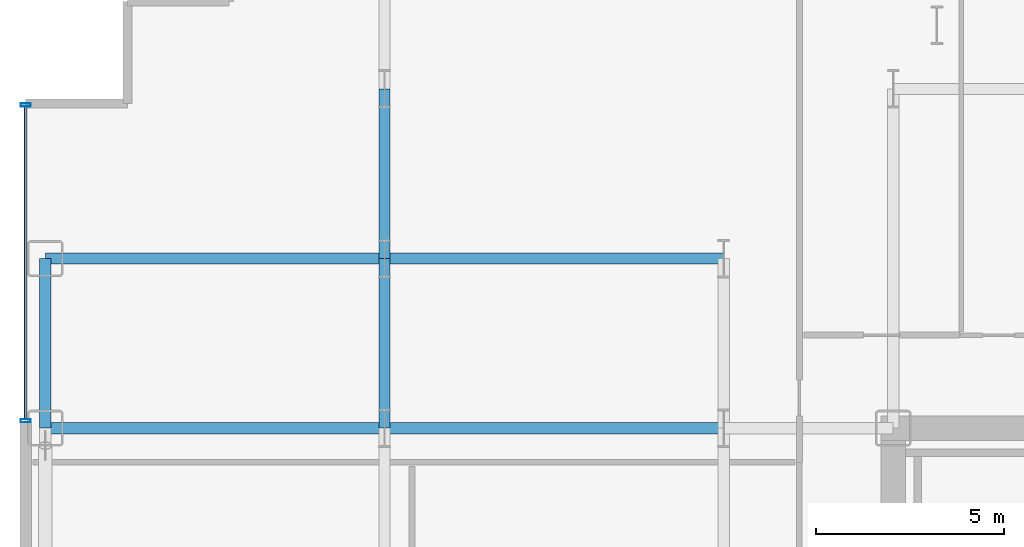
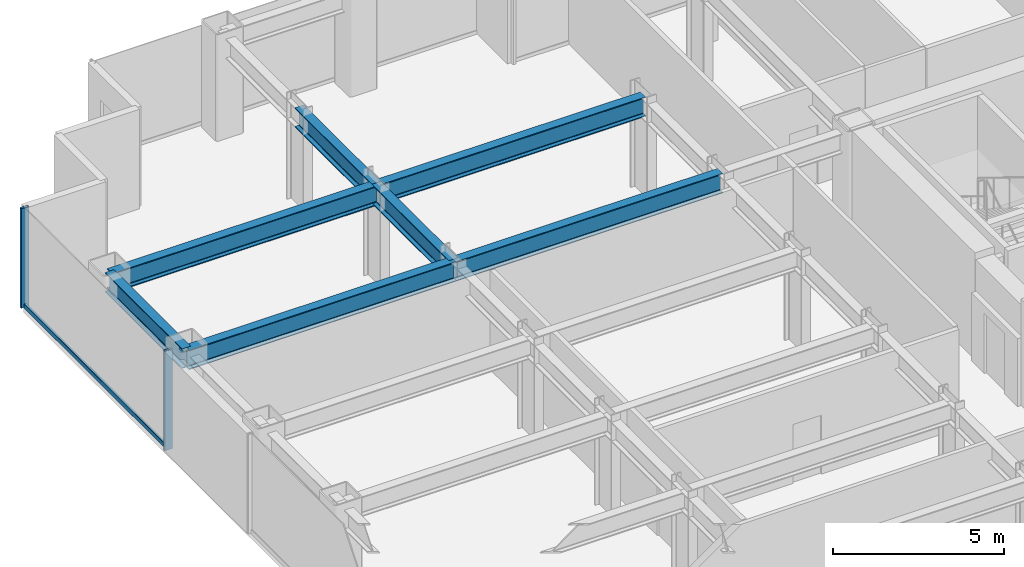
# One storey, part 11 of 29: 7 beams, 3 members, 1 element without a shape of its own.
"""IFC4 building model written with IfcOpenShell, lengths in metres."""

import ifcopenshell
import ifcopenshell.guid

model = None  # the IFC model being written
_history = None  # IfcOwnerHistory: only IFC2X3 demands one
_inside = {}  # id of a spatial element -> (the spatial element, [elements in it])
_under = {}  # id of a project, library or spatial element -> (it, [spatial elements below it])
_declared = {}  # id of a project -> (the project, [libraries it declares])
_typed = {}  # id of a type object -> (the type object, [elements of that type])
_made_of = {}  # id of a material, layer set ... -> (it, [elements and type objects made of it])


def new_model(schema):
    """Start an empty IFC model of exactly this schema.

    Asked for "IFC4X3", IfcOpenShell would pick the latest addendum, in which some entities
    have other attributes; the version numbers below select the first issue.
    IFC2X3 requires an IfcOwnerHistory on every rooted entity: one is made here for all.
    """
    global model, _history
    if schema == "IFC4X3":
        model = ifcopenshell.file(schema_version=(4, 3, 0, 0))
    else:
        model = ifcopenshell.file(schema=schema)
    _inside.clear()
    _under.clear()
    _declared.clear()
    _typed.clear()
    _made_of.clear()
    _history = None
    if model.schema == "IFC2X3":
        org = make("IfcOrganization", Name="unknown")
        user = make(
            "IfcPersonAndOrganization",
            ThePerson=make("IfcPerson", FamilyName="unknown"),
            TheOrganization=org,
        )
        app = make(
            "IfcApplication",
            ApplicationDeveloper=org,
            Version="unknown",
            ApplicationFullName="unknown",
            ApplicationIdentifier="unknown",
        )
        _history = make(
            "IfcOwnerHistory",
            OwningUser=user,
            OwningApplication=app,
            ChangeAction="ADDED",
            CreationDate=0,
        )
    return model


def make(cls, **values):
    """One entity of the class cls with the attributes given. An attribute that is None is left unset."""
    return model.create_entity(
        cls, **{name: value for name, value in values.items() if value is not None}
    )


def rooted(cls, **values):
    """An entity with a GlobalId (a new one), such as an element, a storey or a relation."""
    return make(cls, GlobalId=ifcopenshell.guid.new(), OwnerHistory=_history, **values)


def si_unit(unit_type, name, prefix=None):
    """IfcSIUnit, for example si_unit("LENGTHUNIT", "METRE", prefix="MILLI")."""
    return make("IfcSIUnit", UnitType=unit_type, Prefix=prefix, Name=name)


def assignment(units):
    """IfcUnitAssignment: the units of a project."""
    return None if units is None else make("IfcUnitAssignment", Units=units)


def point(xyz):
    """IfcCartesianPoint."""
    return None if xyz is None else make("IfcCartesianPoint", Coordinates=xyz)


def direction(xyz):
    """IfcDirection."""
    return None if xyz is None else make("IfcDirection", DirectionRatios=xyz)


def frame(location, z_axis=None, x_axis=None):
    """IfcAxis2Placement3D, a coordinate frame: its origin and axes. An axis left out is left unset."""
    return make(
        "IfcAxis2Placement3D",
        Location=point(location),
        Axis=direction(z_axis),
        RefDirection=direction(x_axis),
    )


def frame_2d(location, x_axis=None):
    """IfcAxis2Placement2D, a coordinate frame in the plane: its origin and x axis."""
    return make(
        "IfcAxis2Placement2D", Location=point(location), RefDirection=direction(x_axis)
    )


def origin():
    """The frame at (0, 0, 0) with its axes left unset."""
    return frame((0.0, 0.0, 0.0))


def origin_2d():
    """The frame at (0, 0) in the plane with its x axis left unset."""
    return frame_2d((0.0, 0.0))


def place(relative_to, where):
    """IfcLocalPlacement: puts the frame where relative to a parent placement (None: the world)."""
    return make(
        "IfcLocalPlacement", PlacementRelTo=relative_to, RelativePlacement=where
    )


def context(
    kind, dimensions, precision=None, world=None, true_north=None, identifier=None
):
    """IfcGeometricRepresentationContext, for example the 3D "Model" context."""
    return make(
        "IfcGeometricRepresentationContext",
        ContextIdentifier=identifier,
        ContextType=kind,
        CoordinateSpaceDimension=dimensions,
        Precision=precision,
        WorldCoordinateSystem=world,
        TrueNorth=true_north,
    )


def subcontext(parent, identifier, kind, view, scale=None):
    """IfcGeometricRepresentationSubContext, for example "Body" below "Model"."""
    return make(
        "IfcGeometricRepresentationSubContext",
        ContextIdentifier=identifier,
        ContextType=kind,
        ParentContext=parent,
        TargetScale=scale,
        TargetView=view,
    )


def project(units=None, contexts=None):
    """IfcProject with its units and contexts."""
    return rooted(
        "IfcProject",
        Name="project",
        RepresentationContexts=contexts,
        UnitsInContext=assignment(units),
    )


def spatial(cls, under=None, at=None, **own):
    """A site, building, storey or space (cls), placed at a placement, below another one or the project."""
    s = rooted(cls, ObjectPlacement=at, **own)
    if under is not None:
        _under.setdefault(under.id(), (under, []))[1].append(s)
    return s


def profile(cls, at=None, kind="AREA", **sizes):
    """A parametric profile (cls). Its sizes go by their IFC names, for example OverallWidth=200.0."""
    return make(cls, ProfileType=kind, Position=at, **sizes)


def hollow_rectangle(**sizes):
    """IfcRectangleHollowProfileDef."""
    return profile("IfcRectangleHollowProfileDef", **sizes)


def i_section(**sizes):
    """IfcIShapeProfileDef."""
    return profile("IfcIShapeProfileDef", **sizes)


def extrude(swept, where, along, depth):
    """IfcExtrudedAreaSolid: the profile swept, set in the frame where, extruded along a direction by depth."""
    return make(
        "IfcExtrudedAreaSolid",
        SweptArea=swept,
        Position=where,
        ExtrudedDirection=direction(along),
        Depth=depth,
    )


def shape(context_of_items, identifier, shape_type, items):
    """IfcShapeRepresentation: the items that make up one representation, for example the "Body"."""
    return make(
        "IfcShapeRepresentation",
        ContextOfItems=context_of_items,
        RepresentationIdentifier=identifier,
        RepresentationType=shape_type,
        Items=items,
    )


def source(mapping_origin, context_of_items, identifier, shape_type, items):
    """IfcRepresentationMap: a shape defined once, which mapped items show again and again."""
    return make(
        "IfcRepresentationMap",
        MappingOrigin=mapping_origin,
        MappedRepresentation=shape(context_of_items, identifier, shape_type, items),
    )


def transform(
    local_origin,
    x_axis=None,
    y_axis=None,
    z_axis=None,
    scale=None,
    scale2=None,
    scale3=None,
    uniform=True,
):
    """IfcCartesianTransformationOperator3D, or its non-uniform kind. x_axis, y_axis, z_axis: its Axis1, 2, 3."""
    if uniform:
        return make(
            "IfcCartesianTransformationOperator3D",
            Axis1=direction(x_axis),
            Axis2=direction(y_axis),
            LocalOrigin=point(local_origin),
            Scale=scale,
            Axis3=direction(z_axis),
        )
    return make(
        "IfcCartesianTransformationOperator3DnonUniform",
        Axis1=direction(x_axis),
        Axis2=direction(y_axis),
        LocalOrigin=point(local_origin),
        Scale=scale,
        Axis3=direction(z_axis),
        Scale2=scale2,
        Scale3=scale3,
    )


def mapped(mapping_source, mapping_target):
    """IfcMappedItem: shows the shape of a source again, moved by a transform."""
    return make(
        "IfcMappedItem", MappingSource=mapping_source, MappingTarget=mapping_target
    )


def material(Name=None, Category=None):
    """IfcMaterial."""
    return make("IfcMaterial", Name=Name, Category=Category)


def layer(
    of_material, thickness, ventilated=None, Name=None, Category=None, Priority=None
):
    """IfcMaterialLayer: one layer of a wall or slab, of a material (None: an air gap)."""
    return make(
        "IfcMaterialLayer",
        Material=of_material,
        LayerThickness=thickness,
        IsVentilated=ventilated,
        Name=Name,
        Category=Category,
        Priority=Priority,
    )


def layer_set(layers, Name=None):
    """IfcMaterialLayerSet."""
    return make("IfcMaterialLayerSet", MaterialLayers=layers, LayerSetName=Name)


def material_profile(
    of_material, cross_section, Name=None, Category=None, Priority=None
):
    """IfcMaterialProfile: a cross section and its material."""
    return make(
        "IfcMaterialProfile",
        Name=Name,
        Material=of_material,
        Profile=cross_section,
        Priority=Priority,
        Category=Category,
    )


def profile_set(profiles, Name=None, composite=None):
    """IfcMaterialProfileSet."""
    return make(
        "IfcMaterialProfileSet",
        Name=Name,
        MaterialProfiles=profiles,
        CompositeProfile=composite,
    )


def made_of(thing, what):
    """Note that an element or type object is made of a material, layer set ...; save() writes the relation."""
    if what is not None:
        _made_of.setdefault(what.id(), (what, []))[1].append(thing)
    return thing


def type_object(cls, material=None, **own):
    """A type object (cls), such as IfcWallType, which elements share."""
    return made_of(rooted(cls, **own), material)


def element(
    cls,
    number,
    at=None,
    inside=None,
    cuts=None,
    type_object=None,
    material=None,
    context=None,
    identifier="Body",
    shape_type=None,
    held_by="IfcProductDefinitionShape",
    body=None,
    shapes=None,
    **own,
):
    """One element of the class cls, such as IfcWall. Its Tag is "e" and its number.

    at: its placement. inside: the storey or other place that contains it. cuts: it is an
    opening in that element (IfcRelVoidsElement). A single representation is given by context,
    identifier, shape_type and body (its items); several are given by shapes. held_by: the class
    of the entity that holds the representations. save() writes the other relations.
    """
    e = rooted(cls, Tag="e%d" % number, ObjectPlacement=at, **own)
    if body is not None:
        shapes = [shape(context, identifier, shape_type, body)]
    if shapes is not None:
        e.Representation = make(held_by, Representations=shapes)
    if inside is not None:
        _inside.setdefault(inside.id(), (inside, []))[1].append(e)
    if cuts is not None:
        rooted(
            "IfcRelVoidsElement", RelatingBuildingElement=cuts, RelatedOpeningElement=e
        )
    if type_object is not None:
        _typed.setdefault(type_object.id(), (type_object, []))[1].append(e)
    return made_of(e, material)


def aggregate(whole, parts):
    """IfcRelAggregates: a whole, such as a stair, and the parts it consists of."""
    return rooted("IfcRelAggregates", RelatingObject=whole, RelatedObjects=parts)


def save(model, path):
    """Write the relations noted so far, then the file.

    IfcRelAggregates (storeys below a building ...), IfcRelContainedInSpatialStructure (elements
    in a storey), IfcRelDefinesByType, IfcRelAssociatesMaterial and IfcRelDeclares: one each for
    every whole, place, type object, material and project.
    """
    for whole, parts in _under.values():
        aggregate(whole, parts)
    for where, things in _inside.values():
        rooted(
            "IfcRelContainedInSpatialStructure",
            RelatedElements=things,
            RelatingStructure=where,
        )
    for kind, things in _typed.values():
        rooted("IfcRelDefinesByType", RelatedObjects=things, RelatingType=kind)
    for what, things in _made_of.values():
        rooted("IfcRelAssociatesMaterial", RelatedObjects=things, RelatingMaterial=what)
    for by, libraries in _declared.values():
        rooted("IfcRelDeclares", RelatingContext=by, RelatedDefinitions=libraries)
    model.write(path)


model = new_model("IFC4")

# Units and contexts
model_context = context("Model", 3, precision=1e-05, world=origin(), true_north=direction((0.0, 1.0)))
body_context = subcontext(model_context, "Body", "Model", "MODEL_VIEW")
ifc_project = project(units=[si_unit("LENGTHUNIT", "METRE"), si_unit("AREAUNIT", "SQUARE_METRE"), si_unit("VOLUMEUNIT", "CUBIC_METRE"), si_unit("PLANEANGLEUNIT", "RADIAN"), si_unit("MASSUNIT", "GRAM", prefix="KILO")], contexts=[model_context])

# Site, building, storey
site_placement = place(None, origin())
site = spatial("IfcSite", under=ifc_project, at=site_placement, CompositionType="ELEMENT")
building_placement = place(site_placement, origin())
building = spatial("IfcBuilding", under=site, at=building_placement, Name="Nefas-Gora Pilgrimage Tower", CompositionType="ELEMENT")
storey_placement = place(building_placement, frame((0.0, 0.0, 78.60009765625)))
storey = spatial("IfcBuildingStorey", under=building, at=storey_placement, Name="L18", CompositionType="ELEMENT", Elevation=78.60009765625)

# Beams
ifc_material_1 = material(Name="Steel S355", Category="steel")
ifc_material_profile_1 = material_profile(ifc_material_1, i_section(OverallWidth=0.300048828125, OverallDepth=0.699951171875, WebThickness=0.01708984375, FlangeThickness=0.031982421875, FilletRadius=0.027099609375, at=origin_2d()), Name="HEB 700")
ifc_profile_set_1 = profile_set([ifc_material_profile_1], Name="Steel S355")
beam_type_1 = type_object("IfcBeamType", Name="BM-SPN-HEB600", PredefinedType="SPANDREL", material=ifc_profile_set_1)
shared_shape_1 = source(origin(), body_context, "Body", "SweptSolid", [
    extrude(i_section(OverallWidth=0.300048828125, OverallDepth=0.699951171875, WebThickness=0.01708984375, FlangeThickness=0.031982421875, FilletRadius=0.027099609375, at=origin_2d()), origin(), (0.0, 0.0, 1.0), 4.5),
])
beam_placement = place(storey_placement, frame((-33.75, 9.0, 3.199951171875), z_axis=(0.0, 1.0, 0.0), x_axis=(-1.0, 0.0, 0.0)))
element("IfcBeam", 1, at=beam_placement, inside=storey, type_object=beam_type_1, Name="L18 SP-01 beam", PredefinedType="SPANDREL", context=body_context, shape_type="MappedRepresentation", body=[
    mapped(shared_shape_1, transform((0.0, 0.0, 0.0), x_axis=(1.0, 0.0, 0.0), y_axis=(0.0, 1.0, 0.0), z_axis=(0.0, 0.0, 1.0), scale=1.0)),
])
ifc_material_profile_2 = material_profile(ifc_material_1, i_section(OverallWidth=0.300048828125, OverallDepth=0.699951171875, WebThickness=0.01708984375, FlangeThickness=0.031982421875, FilletRadius=0.027099609375, at=origin_2d()), Name="HEB 700")
ifc_profile_set_2 = profile_set([ifc_material_profile_2], Name="Steel S355")
beam_type_2 = type_object("IfcBeamType", Name="BM-GIR-HEB700", PredefinedType="BEAM", material=ifc_profile_set_2)
shared_shape_2 = source(origin(), body_context, "Body", "SweptSolid", [
    extrude(i_section(OverallWidth=0.300048828125, OverallDepth=0.699951171875, WebThickness=0.01708984375, FlangeThickness=0.031982421875, FilletRadius=0.027099609375, at=origin_2d()), origin(), (0.0, 0.0, 1.0), 9.0),
])
for number, where, z_axis, x_axis, name in (
    (2, (-33.75, 9.0, 3.199951171875), (1.0, 0.0, 0.0), (0.0, 1.0, 0.0), "L18 G-02 beam"),
    (3, (-33.75, 13.5, 3.199951171875), (1.0, 0.0, 0.0), (0.0, 1.0, 0.0), "L18 G-02 beam"),
    (4, (-24.75, 9.0, 3.199951171875), (1.0, 0.0, 0.0), (0.0, 1.0, 0.0), "L18 G-02 beam"),
    (5, (-24.75, 13.5, 3.199951171875), (1.0, 0.0, 0.0), (0.0, 1.0, 0.0), "L18 G-02 beam"),
):
    element("IfcBeam", number, at=place(storey_placement, frame(where, z_axis=z_axis, x_axis=x_axis)), inside=storey, type_object=beam_type_2, Name=name, PredefinedType="BEAM", context=body_context, shape_type="MappedRepresentation", body=[
        mapped(shared_shape_2, transform((0.0, 0.0, 0.0), x_axis=(1.0, 0.0, 0.0), y_axis=(0.0, 1.0, 0.0), z_axis=(0.0, 0.0, 1.0), scale=1.0)),
    ])
shared_shape_3 = source(origin(), body_context, "Body", "SweptSolid", [
    extrude(i_section(OverallWidth=0.300048828125, OverallDepth=0.699951171875, WebThickness=0.01708984375, FlangeThickness=0.031982421875, FilletRadius=0.027099609375, at=origin_2d()), origin(), (0.0, 0.0, 1.0), 4.5),
])
for number, where, z_axis, x_axis, name in (
    (6, (-24.75, 9.0, 3.199951171875), (0.0, 1.0, 0.0), (-1.0, 0.0, 0.0), "L18 G-02 beam"),
    (7, (-24.75, 13.5, 3.199951171875), (0.0, 1.0, 0.0), (-1.0, 0.0, 0.0), "L18 G-02 beam"),
):
    element("IfcBeam", number, at=place(storey_placement, frame(where, z_axis=z_axis, x_axis=x_axis)), inside=storey, type_object=beam_type_2, Name=name, PredefinedType="BEAM", context=body_context, shape_type="MappedRepresentation", body=[
        mapped(shared_shape_3, transform((0.0, 0.0, 0.0), x_axis=(1.0, 0.0, 0.0), y_axis=(0.0, 1.0, 0.0), z_axis=(0.0, 0.0, 1.0), scale=1.0)),
    ])

# Curtain wall, members
ifc_material_2 = material(Name="Dark ceramic-fritted solar-control aluminium-glass curtain wall", Category="aluminium")
ifc_layer = layer(ifc_material_2, 0.219970703125)
ifc_layer_set = layer_set([ifc_layer], Name="Dark ceramic-fritted solar-control aluminium-glass curtain wall")
curtain_wall_type = type_object("IfcCurtainWallType", Name="CW-SYS-2", PredefinedType="NOTDEFINED", material=ifc_layer_set)
curtain_wall_placement = place(storey_placement, origin())
curtain_wall = element("IfcCurtainWall", 8, at=curtain_wall_placement, inside=storey, type_object=curtain_wall_type, Name="L18 Unitised Curtain Wall CW2", PredefinedType="NOTDEFINED")
ifc_material_3 = material(Name="Anodised architectural aluminium", Category="aluminium")
ifc_material_profile_3 = material_profile(ifc_material_3, hollow_rectangle(XDim=0.080078125, YDim=0.159912109375, WallThickness=0.00439453125, InnerFilletRadius=0.00439453125, OuterFilletRadius=0.009033203125, at=origin_2d()), Name="ALU TRANSOM 80x160")
ifc_profile_set_3 = profile_set([ifc_material_profile_3], Name="Anodised architectural aluminium")
member_type_1 = type_object("IfcMemberType", Name="CWM-TRN-2", PredefinedType="USERDEFINED", material=ifc_profile_set_3)
shared_shape_4 = source(origin(), body_context, "Body", "SweptSolid", [
    extrude(hollow_rectangle(XDim=0.080078125, YDim=0.159912109375, WallThickness=0.00439453125, InnerFilletRadius=0.00439453125, OuterFilletRadius=0.009033203125, at=origin_2d()), origin(), (0.0, 0.0, 1.0), 8.2900390625),
])
member_1_placement = place(storey_placement, frame((-34.27001953125, 17.530029296875, 0.0498046875), z_axis=(0.0, -1.0, 0.0), x_axis=(1.0, 0.0, 0.0)))
member_1 = element("IfcMember", 9, at=member_1_placement, type_object=member_type_1, Name="CW2 Spandrel Transom", ObjectType="TRANSOM", PredefinedType="USERDEFINED", context=body_context, shape_type="MappedRepresentation", body=[
    mapped(shared_shape_4, transform((0.0, 0.0, 0.0), x_axis=(1.0, 0.0, 0.0), y_axis=(0.0, 1.0, 0.0), z_axis=(0.0, 0.0, 1.0), scale=1.0)),
])
ifc_material_profile_4 = material_profile(ifc_material_3, hollow_rectangle(XDim=0.090087890625, YDim=0.260009765625, WallThickness=0.006103515625, InnerFilletRadius=0.006103515625, OuterFilletRadius=0.011962890625, at=origin_2d()), Name="ALU MULLION 90x260")
ifc_profile_set_4 = profile_set([ifc_material_profile_4], Name="Anodised architectural aluminium")
member_type_2 = type_object("IfcMemberType", Name="CWM-MUL-2", PredefinedType="MULLION", material=ifc_profile_set_4)
shared_shape_5 = source(origin(), body_context, "Body", "SweptSolid", [
    extrude(hollow_rectangle(XDim=0.090087890625, YDim=0.260009765625, WallThickness=0.006103515625, InnerFilletRadius=0.006103515625, OuterFilletRadius=0.011962890625, at=origin_2d()), origin(), (0.0, 0.0, 1.0), 3.5498046875),
])
member_2_placement = place(storey_placement, frame((-34.27001953125, 17.574951171875, 0.0), z_axis=(0.0, 0.0, 1.0), x_axis=(0.0, -1.0, 0.0)))
member_2 = element("IfcMember", 10, at=member_2_placement, type_object=member_type_2, Name="CW2 Mullion 1", PredefinedType="MULLION", context=body_context, shape_type="MappedRepresentation", body=[
    mapped(shared_shape_5, transform((0.0, 0.0, 0.0), x_axis=(1.0, 0.0, 0.0), y_axis=(0.0, 1.0, 0.0), z_axis=(0.0, 0.0, 1.0), scale=1.0)),
])
member_3_placement = place(storey_placement, frame((-34.27001953125, 9.195068359375, 0.0), z_axis=(0.0, 0.0, 1.0), x_axis=(0.0, -1.0, 0.0)))
member_3 = element("IfcMember", 11, at=member_3_placement, type_object=member_type_2, Name="CW2 Mullion 2", PredefinedType="MULLION", context=body_context, shape_type="MappedRepresentation", body=[
    mapped(shared_shape_5, transform((0.0, 0.0, 0.0), x_axis=(1.0, 0.0, 0.0), y_axis=(0.0, 1.0, 0.0), z_axis=(0.0, 0.0, 1.0), scale=1.0)),
])
aggregate(curtain_wall, [member_2, member_3, member_1])

save(model, "model.ifc")
